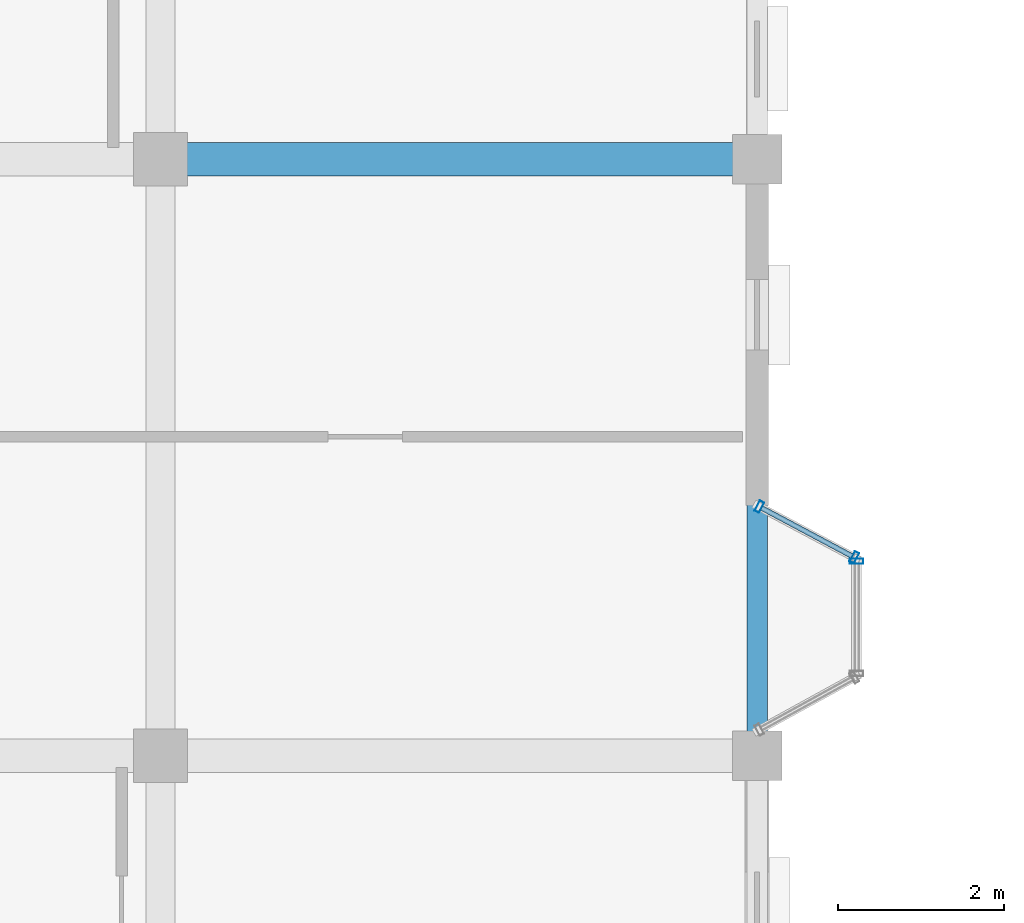
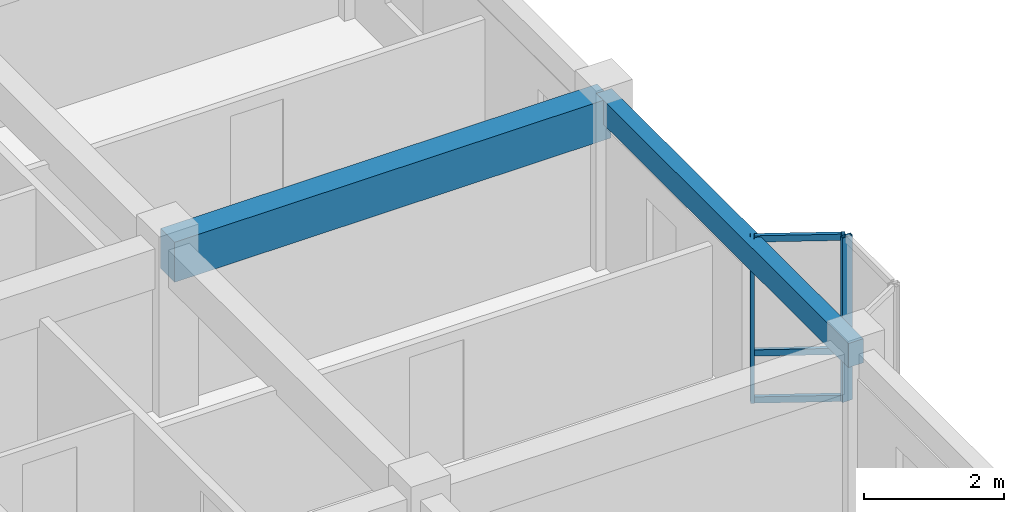
# One storey, part 11 of 124: 6 members, 2 beams, 2 elements without a shape of their own.
"""IFC4 building model written with IfcOpenShell, lengths in metres."""

from ifc_helpers import new_model, si_unit, direction, frame, origin, origin_2d, place, context, subcontext, project, spatial, rectangle, hollow_rectangle, extrude, material, layer, layer_set, material_profile, profile_set, type_object, element, aggregate, save


model = new_model("IFC4")

# Units and contexts
model_context = context("Model", 3, precision=1e-05, world=origin(), true_north=direction((0.0, 1.0)))
body_context = subcontext(model_context, "Body", "Model", "MODEL_VIEW")
ifc_project = project(units=[si_unit("LENGTHUNIT", "METRE"), si_unit("AREAUNIT", "SQUARE_METRE"), si_unit("VOLUMEUNIT", "CUBIC_METRE"), si_unit("PLANEANGLEUNIT", "RADIAN"), si_unit("MASSUNIT", "GRAM", prefix="KILO"), si_unit("THERMODYNAMICTEMPERATUREUNIT", "KELVIN"), si_unit("POWERUNIT", "WATT")], contexts=[model_context])

# Site, building, storey
site_placement = place(None, origin())
site = spatial("IfcSite", under=ifc_project, at=site_placement, CompositionType="ELEMENT")
building_placement = place(site_placement, origin())
building = spatial("IfcBuilding", under=site, at=building_placement, Name="Tavuni Mirador Residences", CompositionType="ELEMENT")
storey_placement = place(building_placement, frame((0.0, 0.0, 7.64990234375)))
storey = spatial("IfcBuildingStorey", under=building, at=storey_placement, Name="L02", CompositionType="ELEMENT", Elevation=7.64990234375)

# Beams
ifc_material_1 = material(Name="Precast concrete C40/50", Category="concrete")
ifc_material_profile_1 = material_profile(ifc_material_1, rectangle(XDim=0.39990234375, YDim=0.699951171875, at=origin_2d()), Name="PC 400x700", Category="concrete")
ifc_profile_set_1 = profile_set([ifc_material_profile_1], Name="Precast concrete C40/50")
beam_type_1 = type_object("IfcBeamType", Name="BT-B700", PredefinedType="BEAM", material=ifc_profile_set_1)
beam_1_placement = place(storey_placement, frame((25.199951171875, 28.800048828125, 2.52001953125), z_axis=(1.0, 0.0, 0.0), x_axis=(0.0, 1.0, 0.0)))
element("IfcBeam", 1, at=beam_1_placement, inside=storey, type_object=beam_type_1, Name="BMX-BLK-A-L02-03-03", PredefinedType="BEAM", context=body_context, shape_type="SweptSolid", body=[
    extrude(rectangle(XDim=0.39990234375, YDim=0.699951171875, at=origin_2d()), origin(), (0.0, 0.0, 1.0), 7.199951171875),
])
ifc_material_profile_2 = material_profile(ifc_material_1, rectangle(XDim=0.25, YDim=0.419921875, at=origin_2d()), Name="PC 250x420", Category="concrete")
ifc_profile_set_2 = profile_set([ifc_material_profile_2], Name="Precast concrete C40/50")
beam_type_2 = type_object("IfcBeamType", Name="BT-SP420", PredefinedType="SPANDREL", material=ifc_profile_set_2)
beam_2_placement = place(storey_placement, frame((32.39990234375, 21.60009765625, 2.66015625), z_axis=(0.0, 1.0, 0.0), x_axis=(-1.0, 0.0, 0.0)))
element("IfcBeam", 2, at=beam_2_placement, inside=storey, type_object=beam_type_2, Name="BMY-BLK-A-L02-04-02", PredefinedType="SPANDREL", context=body_context, shape_type="SweptSolid", body=[
    extrude(rectangle(XDim=0.25, YDim=0.419921875, at=origin_2d()), origin(), (0.0, 0.0, 1.0), 7.199951171875),
])

# Curtain wall, members
ifc_material_2 = material(Name="Anodised aluminium", Category="aluminium")
ifc_layer_1 = layer(ifc_material_2, 0.175048828125, Name="Anodised aluminium", Category="aluminium")
ifc_layer_set_1 = layer_set([ifc_layer_1], Name="Anodised aluminium")
curtain_wall_type_1 = type_object("IfcCurtainWallType", Name="CWT-MIR-C", PredefinedType="NOTDEFINED", material=ifc_layer_set_1)
curtain_wall_1_placement = place(storey_placement, origin())
curtain_wall_1 = element("IfcCurtainWall", 3, at=curtain_wall_1_placement, inside=storey, type_object=curtain_wall_type_1, Name="CW-MIR-A-E2-L02-M2", PredefinedType="NOTDEFINED")
ifc_material_profile_3 = material_profile(ifc_material_2, hollow_rectangle(XDim=0.06005859375, YDim=0.139892578125, WallThickness=0.00390625, at=origin_2d()), Name="ALU 60x140x4.0", Category="aluminium")
ifc_profile_set_3 = profile_set([ifc_material_profile_3], Name="Anodised aluminium")
member_type_1 = type_object("IfcMemberType", Name="CWM-140", PredefinedType="MULLION", material=ifc_profile_set_3)
member_1_placement = place(storey_placement, frame((33.573486328125, 23.994140625, 0.0), z_axis=(0.0, 0.0, 1.0), x_axis=(-0.882352941175, 0.470588235296, 0.0)))
member_1 = element("IfcMember", 4, at=member_1_placement, type_object=member_type_1, Name="CW-03 mullion 1", PredefinedType="MULLION", context=body_context, shape_type="SweptSolid", body=[
    extrude(hollow_rectangle(XDim=0.06005859375, YDim=0.139892578125, WallThickness=0.00390625, at=origin_2d()), origin(), (0.0, 0.0, 1.0), 2.8701171875),
])
member_2_placement = place(storey_placement, frame((32.426513671875, 24.60595703125, 0.0), z_axis=(0.0, 0.0, 1.0), x_axis=(-0.882352941175, 0.470588235296, 0.0)))
member_2 = element("IfcMember", 5, at=member_2_placement, type_object=member_type_1, Name="CW-03 mullion 2", PredefinedType="MULLION", context=body_context, shape_type="SweptSolid", body=[
    extrude(hollow_rectangle(XDim=0.06005859375, YDim=0.139892578125, WallThickness=0.00390625, at=origin_2d()), origin(), (0.0, 0.0, 1.0), 2.8701171875),
])

# Curtain wall, member
ifc_layer_2 = layer(ifc_material_2, 0.14990234375, Name="Anodised aluminium", Category="aluminium")
ifc_layer_set_2 = layer_set([ifc_layer_2], Name="Anodised aluminium")
curtain_wall_type_2 = type_object("IfcCurtainWallType", Name="CWT-MIR-B", PredefinedType="NOTDEFINED", material=ifc_layer_set_2)
curtain_wall_2_placement = place(storey_placement, origin())
curtain_wall_2 = element("IfcCurtainWall", 6, at=curtain_wall_2_placement, inside=storey, type_object=curtain_wall_type_2, Name="CW-MIR-A-E2-L02-MF", PredefinedType="NOTDEFINED")
ifc_material_profile_4 = material_profile(ifc_material_2, hollow_rectangle(XDim=0.06494140625, YDim=0.1650390625, WallThickness=0.00439453125, at=origin_2d()), Name="ALU 65x165x4.5", Category="aluminium")
ifc_profile_set_4 = profile_set([ifc_material_profile_4], Name="Anodised aluminium")
member_type_2 = type_object("IfcMemberType", Name="CWM-165", PredefinedType="MULLION", material=ifc_profile_set_4)
member_3_placement = place(storey_placement, frame((33.60009765625, 23.947509765625, 0.0), z_axis=(0.0, 0.0, 1.0), x_axis=(0.0, 1.0, 0.0)))
member_3 = element("IfcMember", 7, at=member_3_placement, type_object=member_type_2, Name="CW-02 mullion 2", PredefinedType="MULLION", context=body_context, shape_type="SweptSolid", body=[
    extrude(hollow_rectangle(XDim=0.06494140625, YDim=0.1650390625, WallThickness=0.00439453125, at=origin_2d()), origin(), (0.0, 0.0, 1.0), 2.8701171875),
])
aggregate(curtain_wall_2, [member_3])

# Member
ifc_material_profile_5 = material_profile(ifc_material_2, hollow_rectangle(XDim=0.06005859375, YDim=0.110107421875, WallThickness=0.00390625, at=origin_2d()), Name="ALU 60x110x4.0", Category="aluminium")
ifc_profile_set_5 = profile_set([ifc_material_profile_5], Name="Anodised aluminium")
member_type_3 = type_object("IfcMemberType", Name="CWT-110", PredefinedType="USERDEFINED", material=ifc_profile_set_5)
member_4_placement = place(storey_placement, frame((33.547119140625, 24.00830078125, 0.030029296875), z_axis=(-0.882385637708, 0.470526924168, 0.0), x_axis=(-0.470526924168, -0.882385637708, 0.0)))
member_4 = element("IfcMember", 8, at=member_4_placement, type_object=member_type_3, Name="CW-03 transom 1.1", ObjectType="TRANSOM", PredefinedType="USERDEFINED", context=body_context, shape_type="SweptSolid", body=[
    extrude(hollow_rectangle(XDim=0.06005859375, YDim=0.110107421875, WallThickness=0.00390625, at=origin_2d()), origin(), (0.0, 0.0, 1.0), 1.239990234375),
])

member_5_placement = place(storey_placement, frame((33.547119140625, 24.00830078125, 0.85009765625), z_axis=(-0.882385637708, 0.470526924168, 0.0), x_axis=(-0.470526924168, -0.882385637708, 0.0)))
member_5 = element("IfcMember", 9, at=member_5_placement, type_object=member_type_3, Name="CW-03 transom 1.2", ObjectType="TRANSOM", PredefinedType="USERDEFINED", context=body_context, shape_type="SweptSolid", body=[
    extrude(hollow_rectangle(XDim=0.06005859375, YDim=0.110107421875, WallThickness=0.00390625, at=origin_2d()), origin(), (0.0, 0.0, 1.0), 1.239990234375),
])

member_6_placement = place(storey_placement, frame((33.547119140625, 24.00830078125, 2.840087890625), z_axis=(-0.882385637708, 0.470526924168, 0.0), x_axis=(-0.470526924168, -0.882385637708, 0.0)))
member_6 = element("IfcMember", 10, at=member_6_placement, type_object=member_type_3, Name="CW-03 transom 1.3", ObjectType="TRANSOM", PredefinedType="USERDEFINED", context=body_context, shape_type="SweptSolid", body=[
    extrude(hollow_rectangle(XDim=0.06005859375, YDim=0.110107421875, WallThickness=0.00390625, at=origin_2d()), origin(), (0.0, 0.0, 1.0), 1.239990234375),
])

aggregate(curtain_wall_1, [member_1, member_2, member_4, member_5, member_6])

save(model, "model.ifc")
